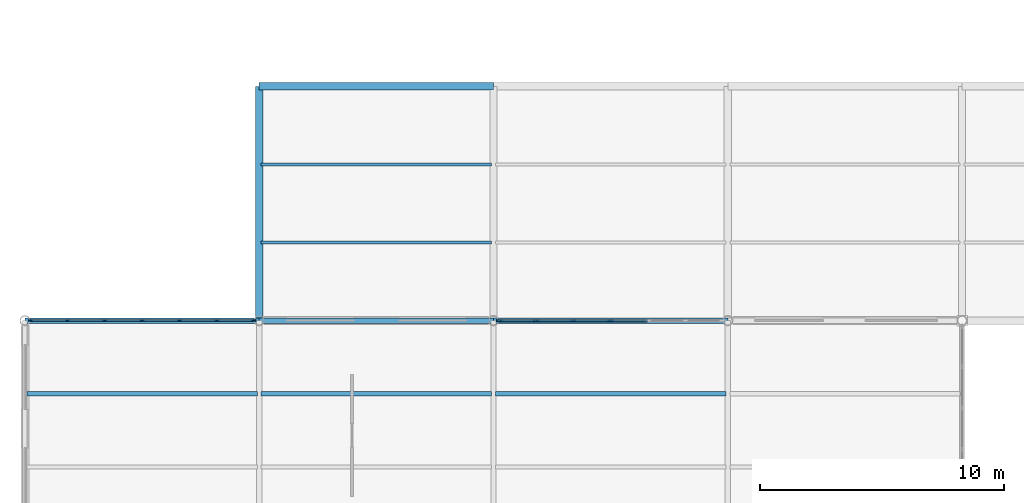
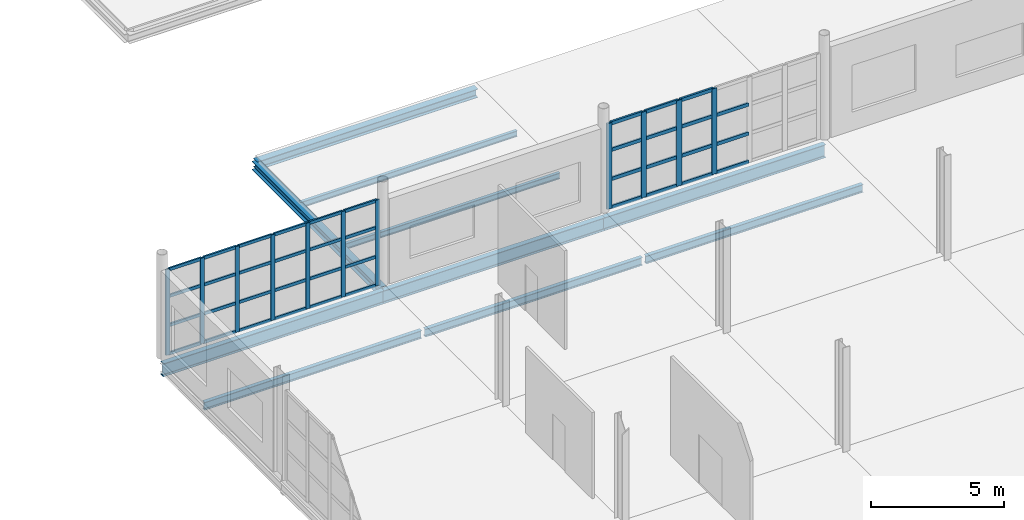
# One storey, part 37 of 120: 50 members, 10 beams, 2 elements without a shape of their own.
"""IFC4 building model written with IfcOpenShell, lengths in metres."""

from ifc_helpers import new_model, si_unit, direction, frame, origin, origin_2d, place, context, subcontext, project, spatial, rectangle, i_section, extrude, material, layer, layer_set, material_profile, profile_set, type_object, element, aggregate, save


model = new_model("IFC4")

# Units and contexts
model_context = context("Model", 3, precision=1e-05, world=origin(), true_north=direction((0.0, 1.0)))
body_context = subcontext(model_context, "Body", "Model", "MODEL_VIEW")
ifc_project = project(units=[si_unit("LENGTHUNIT", "METRE"), si_unit("AREAUNIT", "SQUARE_METRE"), si_unit("VOLUMEUNIT", "CUBIC_METRE"), si_unit("PLANEANGLEUNIT", "RADIAN"), si_unit("MASSUNIT", "GRAM", prefix="KILO")], contexts=[model_context])

# Site, building, storey
site_placement = place(None, origin())
site = spatial("IfcSite", under=ifc_project, at=site_placement, CompositionType="ELEMENT")
building_placement = place(site_placement, origin())
building = spatial("IfcBuilding", under=site, at=building_placement, Name="Zarnetskaya Central Station", CompositionType="ELEMENT")
storey_placement = place(building_placement, frame((0.0, 0.0, 5.39990234375)))
storey = spatial("IfcBuildingStorey", under=building, at=storey_placement, Name="L01", CompositionType="ELEMENT", Elevation=5.39990234375)

# Beams
ifc_material_1 = material(Name="Steel S355", Category="steel")
ifc_material_profile_1 = material_profile(ifc_material_1, i_section(OverallWidth=0.135009765625, OverallDepth=0.27001953125, WebThickness=0.006591796875, FlangeThickness=0.01025390625, FilletRadius=0.014892578125, at=origin_2d()), Name="IPE 270")
ifc_profile_set_1 = profile_set([ifc_material_profile_1], Name="Steel S355")
beam_type_1 = type_object("IfcBeamType", Name="BM-JST-270", PredefinedType="JOIST", material=ifc_profile_set_1)
for number, where, z_axis, x_axis, name in (
    (1, (9.679931640625, 70.39990234375, -0.294921875), (1.0, 0.0, 0.0), (0.0, 1.0, 0.0), "Secondary floor beam SEC-L01-Z524-BC-910-1"),
    (2, (9.679931640625, 73.60009765625, -0.294921875), (1.0, 0.0, 0.0), (0.0, 1.0, 0.0), "Secondary floor beam SEC-L01-Z524-BC-910-2"),
):
    element("IfcBeam", number, at=place(storey_placement, frame(where, z_axis=z_axis, x_axis=x_axis)), inside=storey, type_object=beam_type_1, Name=name, PredefinedType="JOIST", context=body_context, shape_type="SweptSolid", body=[
        extrude(i_section(OverallWidth=0.135009765625, OverallDepth=0.27001953125, WebThickness=0.006591796875, FlangeThickness=0.01025390625, FilletRadius=0.014892578125, at=origin_2d()), origin(), (0.0, 0.0, 1.0), 9.440185546875),
    ])
ifc_material_profile_2 = material_profile(ifc_material_1, i_section(OverallWidth=0.169921875, OverallDepth=0.360107421875, WebThickness=0.008056640625, FlangeThickness=0.0126953125, FilletRadius=0.01806640625, at=origin_2d()), Name="IPE 360")
ifc_profile_set_2 = profile_set([ifc_material_profile_2], Name="Steel S355")
beam_type_2 = type_object("IfcBeamType", Name="BM-SEC-360", PredefinedType="BEAM", material=ifc_profile_set_2)
beam_1_placement = place(storey_placement, frame((0.080078125, 64.199951171875, -0.4599609375), z_axis=(1.0, 0.0, 0.0), x_axis=(0.0, 1.0, 0.0)))
element("IfcBeam", 3, at=beam_1_placement, inside=storey, type_object=beam_type_2, Name="Secondary floor beam SEC-L01-Z512-AB-89-2", PredefinedType="BEAM", context=body_context, shape_type="SweptSolid", body=[
    extrude(i_section(OverallWidth=0.169921875, OverallDepth=0.360107421875, WebThickness=0.008056640625, FlangeThickness=0.0126953125, FilletRadius=0.01806640625, at=origin_2d()), origin(), (0.0, 0.0, 1.0), 9.43994140625),
])
beam_2_placement = place(storey_placement, frame((9.679931640625, 64.199951171875, -0.4599609375), z_axis=(1.0, 0.0, 0.0), x_axis=(0.0, 1.0, 0.0)))
element("IfcBeam", 4, at=beam_2_placement, inside=storey, type_object=beam_type_2, Name="Secondary floor beam SEC-L01-Z512-BC-89-2", PredefinedType="BEAM", context=body_context, shape_type="SweptSolid", body=[
    extrude(i_section(OverallWidth=0.169921875, OverallDepth=0.360107421875, WebThickness=0.008056640625, FlangeThickness=0.0126953125, FilletRadius=0.01806640625, at=origin_2d()), origin(), (0.0, 0.0, 1.0), 9.440185546875),
])
beam_3_placement = place(storey_placement, frame((19.280029296875, 64.199951171875, -0.4599609375), z_axis=(1.0, 0.0, 0.0), x_axis=(0.0, 1.0, 0.0)))
element("IfcBeam", 5, at=beam_3_placement, inside=storey, type_object=beam_type_2, Name="Secondary floor beam SEC-L01-Z512-CD-89-2", PredefinedType="BEAM", context=body_context, shape_type="SweptSolid", body=[
    extrude(i_section(OverallWidth=0.169921875, OverallDepth=0.360107421875, WebThickness=0.008056640625, FlangeThickness=0.0126953125, FilletRadius=0.01806640625, at=origin_2d()), origin(), (0.0, 0.0, 1.0), 9.43994140625),
])

# Curtain wall, members
ifc_material_2 = material(Name="Low-E insulated glass", Category="glass")
ifc_layer_1 = layer(ifc_material_2, 0.16796875, Name="Low-E insulated glass", Category="glass")
ifc_layer_set_1 = layer_set([ifc_layer_1], Name="Low-E insulated glass")
curtain_wall_type_1 = type_object("IfcCurtainWallType", Name="CW-SYS-03", PredefinedType="USERDEFINED", material=ifc_layer_set_1)
curtain_wall_1_placement = place(storey_placement, origin())
curtain_wall_1 = element("IfcCurtainWall", 6, at=curtain_wall_1_placement, inside=storey, type_object=curtain_wall_type_1, Name="Curtain wall CW-L01-005", ObjectType="CURTAIN WALL", PredefinedType="USERDEFINED")
ifc_material_3 = material(Name="Anodised aluminium", Category="aluminium")
ifc_material_profile_3 = material_profile(ifc_material_3, rectangle(XDim=0.070068359375, YDim=0.179931640625, at=origin_2d()), Name="ALU MULL 70x180")
ifc_profile_set_3 = profile_set([ifc_material_profile_3], Name="Anodised aluminium")
member_type_1 = type_object("IfcMemberType", Name="CW-MULL-180", PredefinedType="MULLION", material=ifc_profile_set_3)
member_1_placement = place(storey_placement, frame((0.23828125, 67.199951171875, 0.0), z_axis=(0.0, 0.0, 1.0), x_axis=(0.0, 1.0, 0.0)))
member_1 = element("IfcMember", 7, at=member_1_placement, type_object=member_type_1, Name="CW-12 mullion 1", PredefinedType="MULLION", context=body_context, shape_type="SweptSolid", body=[
    extrude(rectangle(XDim=0.070068359375, YDim=0.179931640625, at=origin_2d()), origin(), (0.0, 0.0, 1.0), 3.940185546875),
])
member_2_placement = place(storey_placement, frame((1.7353515625, 67.199951171875, 0.0), z_axis=(0.0, 0.0, 1.0), x_axis=(0.0, 1.0, 0.0)))
member_2 = element("IfcMember", 8, at=member_2_placement, type_object=member_type_1, Name="CW-12 mullion 2", PredefinedType="MULLION", context=body_context, shape_type="SweptSolid", body=[
    extrude(rectangle(XDim=0.070068359375, YDim=0.179931640625, at=origin_2d()), origin(), (0.0, 0.0, 1.0), 3.940185546875),
])
member_3_placement = place(storey_placement, frame((3.267822265625, 67.199951171875, 0.0), z_axis=(0.0, 0.0, 1.0), x_axis=(0.0, 1.0, 0.0)))
member_3 = element("IfcMember", 9, at=member_3_placement, type_object=member_type_1, Name="CW-12 mullion 3", PredefinedType="MULLION", context=body_context, shape_type="SweptSolid", body=[
    extrude(rectangle(XDim=0.070068359375, YDim=0.179931640625, at=origin_2d()), origin(), (0.0, 0.0, 1.0), 3.940185546875),
])
member_4_placement = place(storey_placement, frame((4.800048828125, 67.199951171875, 0.0), z_axis=(0.0, 0.0, 1.0), x_axis=(0.0, 1.0, 0.0)))
member_4 = element("IfcMember", 10, at=member_4_placement, type_object=member_type_1, Name="CW-12 mullion 4", PredefinedType="MULLION", context=body_context, shape_type="SweptSolid", body=[
    extrude(rectangle(XDim=0.070068359375, YDim=0.179931640625, at=origin_2d()), origin(), (0.0, 0.0, 1.0), 3.940185546875),
])
member_5_placement = place(storey_placement, frame((6.332275390625, 67.199951171875, 0.0), z_axis=(0.0, 0.0, 1.0), x_axis=(0.0, 1.0, 0.0)))
member_5 = element("IfcMember", 11, at=member_5_placement, type_object=member_type_1, Name="CW-12 mullion 5", PredefinedType="MULLION", context=body_context, shape_type="SweptSolid", body=[
    extrude(rectangle(XDim=0.070068359375, YDim=0.179931640625, at=origin_2d()), origin(), (0.0, 0.0, 1.0), 3.940185546875),
])
member_6_placement = place(storey_placement, frame((7.864501953125, 67.199951171875, 0.0), z_axis=(0.0, 0.0, 1.0), x_axis=(0.0, 1.0, 0.0)))
member_6 = element("IfcMember", 12, at=member_6_placement, type_object=member_type_1, Name="CW-12 mullion 6", PredefinedType="MULLION", context=body_context, shape_type="SweptSolid", body=[
    extrude(rectangle(XDim=0.070068359375, YDim=0.179931640625, at=origin_2d()), origin(), (0.0, 0.0, 1.0), 3.940185546875),
])
member_7_placement = place(storey_placement, frame((9.36181640625, 67.199951171875, 0.0), z_axis=(0.0, 0.0, 1.0), x_axis=(0.0, 1.0, 0.0)))
member_7 = element("IfcMember", 13, at=member_7_placement, type_object=member_type_1, Name="CW-12 mullion 7", PredefinedType="MULLION", context=body_context, shape_type="SweptSolid", body=[
    extrude(rectangle(XDim=0.070068359375, YDim=0.179931640625, at=origin_2d()), origin(), (0.0, 0.0, 1.0), 3.940185546875),
])

ifc_layer_2 = layer(ifc_material_2, 0.176025390625, Name="Low-E insulated glass", Category="glass")
ifc_layer_set_2 = layer_set([ifc_layer_2], Name="Low-E insulated glass")
curtain_wall_type_2 = type_object("IfcCurtainWallType", Name="CW-SYS-05", PredefinedType="USERDEFINED", material=ifc_layer_set_2)
curtain_wall_2_placement = place(storey_placement, origin())
curtain_wall_2 = element("IfcCurtainWall", 14, at=curtain_wall_2_placement, inside=storey, type_object=curtain_wall_type_2, Name="Curtain wall CW-L01-006", ObjectType="CURTAIN WALL", PredefinedType="USERDEFINED")
ifc_material_profile_4 = material_profile(ifc_material_3, rectangle(XDim=0.080078125, YDim=0.219970703125, at=origin_2d()), Name="ALU MULL 80x220")
ifc_profile_set_4 = profile_set([ifc_material_profile_4], Name="Anodised aluminium")
member_type_2 = type_object("IfcMemberType", Name="CW-MULL-220", PredefinedType="MULLION", material=ifc_profile_set_4)
member_8_placement = place(storey_placement, frame((19.443115234375, 67.199951171875, 0.0), z_axis=(0.0, 0.0, 1.0), x_axis=(0.0, 1.0, 0.0)))
member_8 = element("IfcMember", 15, at=member_8_placement, type_object=member_type_2, Name="CW-14 mullion 1", PredefinedType="MULLION", context=body_context, shape_type="SweptSolid", body=[
    extrude(rectangle(XDim=0.080078125, YDim=0.219970703125, at=origin_2d()), origin(), (0.0, 0.0, 1.0), 3.940185546875),
])
member_9_placement = place(storey_placement, frame((20.935546875, 67.199951171875, 0.0), z_axis=(0.0, 0.0, 1.0), x_axis=(0.0, 1.0, 0.0)))
member_9 = element("IfcMember", 16, at=member_9_placement, type_object=member_type_2, Name="CW-14 mullion 2", PredefinedType="MULLION", context=body_context, shape_type="SweptSolid", body=[
    extrude(rectangle(XDim=0.080078125, YDim=0.219970703125, at=origin_2d()), origin(), (0.0, 0.0, 1.0), 3.940185546875),
])
member_10_placement = place(storey_placement, frame((22.4677734375, 67.199951171875, 0.0), z_axis=(0.0, 0.0, 1.0), x_axis=(0.0, 1.0, 0.0)))
member_10 = element("IfcMember", 17, at=member_10_placement, type_object=member_type_2, Name="CW-14 mullion 3", PredefinedType="MULLION", context=body_context, shape_type="SweptSolid", body=[
    extrude(rectangle(XDim=0.080078125, YDim=0.219970703125, at=origin_2d()), origin(), (0.0, 0.0, 1.0), 3.940185546875),
])
member_11_placement = place(storey_placement, frame((24.0, 67.199951171875, 0.0), z_axis=(0.0, 0.0, 1.0), x_axis=(0.0, 1.0, 0.0)))
member_11 = element("IfcMember", 18, at=member_11_placement, type_object=member_type_2, Name="CW-14 mullion 4", PredefinedType="MULLION", context=body_context, shape_type="SweptSolid", body=[
    extrude(rectangle(XDim=0.080078125, YDim=0.219970703125, at=origin_2d()), origin(), (0.0, 0.0, 1.0), 3.940185546875),
])

# Member
ifc_material_profile_5 = material_profile(ifc_material_3, rectangle(XDim=0.070068359375, YDim=0.139892578125, at=origin_2d()), Name="ALU TRAN 70x140")
ifc_profile_set_5 = profile_set([ifc_material_profile_5], Name="Anodised aluminium")
member_type_3 = type_object("IfcMemberType", Name="CW-TRAN-140", PredefinedType="USERDEFINED", material=ifc_profile_set_5)
member_12_placement = place(storey_placement, frame((0.273193359375, 67.199951171875, 0.03515625), z_axis=(1.0, 0.0, 0.0), x_axis=(0.0, 1.0, 0.0)))
member_12 = element("IfcMember", 19, at=member_12_placement, type_object=member_type_3, Name="CW-12 transom 1.1", ObjectType="TRANSOM", PredefinedType="USERDEFINED", context=body_context, shape_type="SweptSolid", body=[
    extrude(rectangle(XDim=0.070068359375, YDim=0.139892578125, at=origin_2d()), origin(), (0.0, 0.0, 1.0), 1.42724609375),
])

member_13_placement = place(storey_placement, frame((0.273193359375, 67.199951171875, 1.340087890625), z_axis=(1.0, 0.0, 0.0), x_axis=(0.0, 1.0, 0.0)))
member_13 = element("IfcMember", 20, at=member_13_placement, type_object=member_type_3, Name="CW-12 transom 1.2", ObjectType="TRANSOM", PredefinedType="USERDEFINED", context=body_context, shape_type="SweptSolid", body=[
    extrude(rectangle(XDim=0.070068359375, YDim=0.139892578125, at=origin_2d()), origin(), (0.0, 0.0, 1.0), 1.42724609375),
])

member_14_placement = place(storey_placement, frame((0.273193359375, 67.199951171875, 2.67919921875), z_axis=(1.0, 0.0, 0.0), x_axis=(0.0, 1.0, 0.0)))
member_14 = element("IfcMember", 21, at=member_14_placement, type_object=member_type_3, Name="CW-12 transom 1.3", ObjectType="TRANSOM", PredefinedType="USERDEFINED", context=body_context, shape_type="SweptSolid", body=[
    extrude(rectangle(XDim=0.070068359375, YDim=0.139892578125, at=origin_2d()), origin(), (0.0, 0.0, 1.0), 1.42724609375),
])

member_15_placement = place(storey_placement, frame((0.273193359375, 67.199951171875, 3.905029296875), z_axis=(1.0, 0.0, 0.0), x_axis=(0.0, 1.0, 0.0)))
member_15 = element("IfcMember", 22, at=member_15_placement, type_object=member_type_3, Name="CW-12 transom 1.4", ObjectType="TRANSOM", PredefinedType="USERDEFINED", context=body_context, shape_type="SweptSolid", body=[
    extrude(rectangle(XDim=0.070068359375, YDim=0.139892578125, at=origin_2d()), origin(), (0.0, 0.0, 1.0), 1.42724609375),
])

member_16_placement = place(storey_placement, frame((1.7705078125, 67.199951171875, 0.03515625), z_axis=(1.0, 0.0, 0.0), x_axis=(0.0, 1.0, 0.0)))
member_16 = element("IfcMember", 23, at=member_16_placement, type_object=member_type_3, Name="CW-12 transom 2.1", ObjectType="TRANSOM", PredefinedType="USERDEFINED", context=body_context, shape_type="SweptSolid", body=[
    extrude(rectangle(XDim=0.070068359375, YDim=0.139892578125, at=origin_2d()), origin(), (0.0, 0.0, 1.0), 1.462158203125),
])

member_17_placement = place(storey_placement, frame((1.7705078125, 67.199951171875, 1.340087890625), z_axis=(1.0, 0.0, 0.0), x_axis=(0.0, 1.0, 0.0)))
member_17 = element("IfcMember", 24, at=member_17_placement, type_object=member_type_3, Name="CW-12 transom 2.2", ObjectType="TRANSOM", PredefinedType="USERDEFINED", context=body_context, shape_type="SweptSolid", body=[
    extrude(rectangle(XDim=0.070068359375, YDim=0.139892578125, at=origin_2d()), origin(), (0.0, 0.0, 1.0), 1.462158203125),
])

member_18_placement = place(storey_placement, frame((1.7705078125, 67.199951171875, 2.67919921875), z_axis=(1.0, 0.0, 0.0), x_axis=(0.0, 1.0, 0.0)))
member_18 = element("IfcMember", 25, at=member_18_placement, type_object=member_type_3, Name="CW-12 transom 2.3", ObjectType="TRANSOM", PredefinedType="USERDEFINED", context=body_context, shape_type="SweptSolid", body=[
    extrude(rectangle(XDim=0.070068359375, YDim=0.139892578125, at=origin_2d()), origin(), (0.0, 0.0, 1.0), 1.462158203125),
])

member_19_placement = place(storey_placement, frame((1.7705078125, 67.199951171875, 3.905029296875), z_axis=(1.0, 0.0, 0.0), x_axis=(0.0, 1.0, 0.0)))
member_19 = element("IfcMember", 26, at=member_19_placement, type_object=member_type_3, Name="CW-12 transom 2.4", ObjectType="TRANSOM", PredefinedType="USERDEFINED", context=body_context, shape_type="SweptSolid", body=[
    extrude(rectangle(XDim=0.070068359375, YDim=0.139892578125, at=origin_2d()), origin(), (0.0, 0.0, 1.0), 1.462158203125),
])

member_20_placement = place(storey_placement, frame((3.302734375, 67.199951171875, 0.03515625), z_axis=(1.0, 0.0, 0.0), x_axis=(0.0, 1.0, 0.0)))
member_20 = element("IfcMember", 27, at=member_20_placement, type_object=member_type_3, Name="CW-12 transom 3.1", ObjectType="TRANSOM", PredefinedType="USERDEFINED", context=body_context, shape_type="SweptSolid", body=[
    extrude(rectangle(XDim=0.070068359375, YDim=0.139892578125, at=origin_2d()), origin(), (0.0, 0.0, 1.0), 1.462158203125),
])

member_21_placement = place(storey_placement, frame((3.302734375, 67.199951171875, 1.340087890625), z_axis=(1.0, 0.0, 0.0), x_axis=(0.0, 1.0, 0.0)))
member_21 = element("IfcMember", 28, at=member_21_placement, type_object=member_type_3, Name="CW-12 transom 3.2", ObjectType="TRANSOM", PredefinedType="USERDEFINED", context=body_context, shape_type="SweptSolid", body=[
    extrude(rectangle(XDim=0.070068359375, YDim=0.139892578125, at=origin_2d()), origin(), (0.0, 0.0, 1.0), 1.462158203125),
])

member_22_placement = place(storey_placement, frame((3.302734375, 67.199951171875, 2.67919921875), z_axis=(1.0, 0.0, 0.0), x_axis=(0.0, 1.0, 0.0)))
member_22 = element("IfcMember", 29, at=member_22_placement, type_object=member_type_3, Name="CW-12 transom 3.3", ObjectType="TRANSOM", PredefinedType="USERDEFINED", context=body_context, shape_type="SweptSolid", body=[
    extrude(rectangle(XDim=0.070068359375, YDim=0.139892578125, at=origin_2d()), origin(), (0.0, 0.0, 1.0), 1.462158203125),
])

member_23_placement = place(storey_placement, frame((3.302734375, 67.199951171875, 3.905029296875), z_axis=(1.0, 0.0, 0.0), x_axis=(0.0, 1.0, 0.0)))
member_23 = element("IfcMember", 30, at=member_23_placement, type_object=member_type_3, Name="CW-12 transom 3.4", ObjectType="TRANSOM", PredefinedType="USERDEFINED", context=body_context, shape_type="SweptSolid", body=[
    extrude(rectangle(XDim=0.070068359375, YDim=0.139892578125, at=origin_2d()), origin(), (0.0, 0.0, 1.0), 1.462158203125),
])

member_24_placement = place(storey_placement, frame((4.8349609375, 67.199951171875, 0.03515625), z_axis=(1.0, 0.0, 0.0), x_axis=(0.0, 1.0, 0.0)))
member_24 = element("IfcMember", 31, at=member_24_placement, type_object=member_type_3, Name="CW-12 transom 4.1", ObjectType="TRANSOM", PredefinedType="USERDEFINED", context=body_context, shape_type="SweptSolid", body=[
    extrude(rectangle(XDim=0.070068359375, YDim=0.139892578125, at=origin_2d()), origin(), (0.0, 0.0, 1.0), 1.46240234375),
])

member_25_placement = place(storey_placement, frame((4.8349609375, 67.199951171875, 1.340087890625), z_axis=(1.0, 0.0, 0.0), x_axis=(0.0, 1.0, 0.0)))
member_25 = element("IfcMember", 32, at=member_25_placement, type_object=member_type_3, Name="CW-12 transom 4.2", ObjectType="TRANSOM", PredefinedType="USERDEFINED", context=body_context, shape_type="SweptSolid", body=[
    extrude(rectangle(XDim=0.070068359375, YDim=0.139892578125, at=origin_2d()), origin(), (0.0, 0.0, 1.0), 1.46240234375),
])

member_26_placement = place(storey_placement, frame((4.8349609375, 67.199951171875, 2.67919921875), z_axis=(1.0, 0.0, 0.0), x_axis=(0.0, 1.0, 0.0)))
member_26 = element("IfcMember", 33, at=member_26_placement, type_object=member_type_3, Name="CW-12 transom 4.3", ObjectType="TRANSOM", PredefinedType="USERDEFINED", context=body_context, shape_type="SweptSolid", body=[
    extrude(rectangle(XDim=0.070068359375, YDim=0.139892578125, at=origin_2d()), origin(), (0.0, 0.0, 1.0), 1.46240234375),
])

member_27_placement = place(storey_placement, frame((4.8349609375, 67.199951171875, 3.905029296875), z_axis=(1.0, 0.0, 0.0), x_axis=(0.0, 1.0, 0.0)))
member_27 = element("IfcMember", 34, at=member_27_placement, type_object=member_type_3, Name="CW-12 transom 4.4", ObjectType="TRANSOM", PredefinedType="USERDEFINED", context=body_context, shape_type="SweptSolid", body=[
    extrude(rectangle(XDim=0.070068359375, YDim=0.139892578125, at=origin_2d()), origin(), (0.0, 0.0, 1.0), 1.46240234375),
])

member_28_placement = place(storey_placement, frame((6.3671875, 67.199951171875, 0.03515625), z_axis=(1.0, 0.0, 0.0), x_axis=(0.0, 1.0, 0.0)))
member_28 = element("IfcMember", 35, at=member_28_placement, type_object=member_type_3, Name="CW-12 transom 5.1", ObjectType="TRANSOM", PredefinedType="USERDEFINED", context=body_context, shape_type="SweptSolid", body=[
    extrude(rectangle(XDim=0.070068359375, YDim=0.139892578125, at=origin_2d()), origin(), (0.0, 0.0, 1.0), 1.46240234375),
])

member_29_placement = place(storey_placement, frame((6.3671875, 67.199951171875, 1.340087890625), z_axis=(1.0, 0.0, 0.0), x_axis=(0.0, 1.0, 0.0)))
member_29 = element("IfcMember", 36, at=member_29_placement, type_object=member_type_3, Name="CW-12 transom 5.2", ObjectType="TRANSOM", PredefinedType="USERDEFINED", context=body_context, shape_type="SweptSolid", body=[
    extrude(rectangle(XDim=0.070068359375, YDim=0.139892578125, at=origin_2d()), origin(), (0.0, 0.0, 1.0), 1.46240234375),
])

member_30_placement = place(storey_placement, frame((6.3671875, 67.199951171875, 2.67919921875), z_axis=(1.0, 0.0, 0.0), x_axis=(0.0, 1.0, 0.0)))
member_30 = element("IfcMember", 37, at=member_30_placement, type_object=member_type_3, Name="CW-12 transom 5.3", ObjectType="TRANSOM", PredefinedType="USERDEFINED", context=body_context, shape_type="SweptSolid", body=[
    extrude(rectangle(XDim=0.070068359375, YDim=0.139892578125, at=origin_2d()), origin(), (0.0, 0.0, 1.0), 1.46240234375),
])

member_31_placement = place(storey_placement, frame((6.3671875, 67.199951171875, 3.905029296875), z_axis=(1.0, 0.0, 0.0), x_axis=(0.0, 1.0, 0.0)))
member_31 = element("IfcMember", 38, at=member_31_placement, type_object=member_type_3, Name="CW-12 transom 5.4", ObjectType="TRANSOM", PredefinedType="USERDEFINED", context=body_context, shape_type="SweptSolid", body=[
    extrude(rectangle(XDim=0.070068359375, YDim=0.139892578125, at=origin_2d()), origin(), (0.0, 0.0, 1.0), 1.46240234375),
])

member_32_placement = place(storey_placement, frame((7.8994140625, 67.199951171875, 0.03515625), z_axis=(1.0, 0.0, 0.0), x_axis=(0.0, 1.0, 0.0)))
member_32 = element("IfcMember", 39, at=member_32_placement, type_object=member_type_3, Name="CW-12 transom 6.1", ObjectType="TRANSOM", PredefinedType="USERDEFINED", context=body_context, shape_type="SweptSolid", body=[
    extrude(rectangle(XDim=0.070068359375, YDim=0.139892578125, at=origin_2d()), origin(), (0.0, 0.0, 1.0), 1.427490234375),
])

member_33_placement = place(storey_placement, frame((7.8994140625, 67.199951171875, 1.340087890625), z_axis=(1.0, 0.0, 0.0), x_axis=(0.0, 1.0, 0.0)))
member_33 = element("IfcMember", 40, at=member_33_placement, type_object=member_type_3, Name="CW-12 transom 6.2", ObjectType="TRANSOM", PredefinedType="USERDEFINED", context=body_context, shape_type="SweptSolid", body=[
    extrude(rectangle(XDim=0.070068359375, YDim=0.139892578125, at=origin_2d()), origin(), (0.0, 0.0, 1.0), 1.427490234375),
])

member_34_placement = place(storey_placement, frame((7.8994140625, 67.199951171875, 2.67919921875), z_axis=(1.0, 0.0, 0.0), x_axis=(0.0, 1.0, 0.0)))
member_34 = element("IfcMember", 41, at=member_34_placement, type_object=member_type_3, Name="CW-12 transom 6.3", ObjectType="TRANSOM", PredefinedType="USERDEFINED", context=body_context, shape_type="SweptSolid", body=[
    extrude(rectangle(XDim=0.070068359375, YDim=0.139892578125, at=origin_2d()), origin(), (0.0, 0.0, 1.0), 1.427490234375),
])

member_35_placement = place(storey_placement, frame((7.8994140625, 67.199951171875, 3.905029296875), z_axis=(1.0, 0.0, 0.0), x_axis=(0.0, 1.0, 0.0)))
member_35 = element("IfcMember", 42, at=member_35_placement, type_object=member_type_3, Name="CW-12 transom 6.4", ObjectType="TRANSOM", PredefinedType="USERDEFINED", context=body_context, shape_type="SweptSolid", body=[
    extrude(rectangle(XDim=0.070068359375, YDim=0.139892578125, at=origin_2d()), origin(), (0.0, 0.0, 1.0), 1.427490234375),
])

aggregate(curtain_wall_1, [member_1, member_2, member_3, member_4, member_5, member_6, member_7, member_12, member_13, member_14, member_15, member_16, member_17, member_18, member_19, member_20, member_21, member_22, member_23, member_24, member_25, member_26, member_27, member_28, member_29, member_30, member_31, member_32, member_33, member_34, member_35])

ifc_material_profile_6 = material_profile(ifc_material_3, rectangle(XDim=0.080078125, YDim=0.159912109375, at=origin_2d()), Name="ALU TRAN 80x160")
ifc_profile_set_6 = profile_set([ifc_material_profile_6], Name="Anodised aluminium")
member_type_4 = type_object("IfcMemberType", Name="CW-TRAN-160", PredefinedType="USERDEFINED", material=ifc_profile_set_6)
member_36_placement = place(storey_placement, frame((19.483154296875, 67.199951171875, 0.0400390625), z_axis=(1.0, 0.0, 0.0), x_axis=(0.0, 1.0, 0.0)))
member_36 = element("IfcMember", 43, at=member_36_placement, type_object=member_type_4, Name="CW-14 transom 1.1", ObjectType="TRANSOM", PredefinedType="USERDEFINED", context=body_context, shape_type="SweptSolid", body=[
    extrude(rectangle(XDim=0.080078125, YDim=0.159912109375, at=origin_2d()), origin(), (0.0, 0.0, 1.0), 1.412353515625),
])

member_37_placement = place(storey_placement, frame((19.483154296875, 67.199951171875, 1.340087890625), z_axis=(1.0, 0.0, 0.0), x_axis=(0.0, 1.0, 0.0)))
member_37 = element("IfcMember", 44, at=member_37_placement, type_object=member_type_4, Name="CW-14 transom 1.2", ObjectType="TRANSOM", PredefinedType="USERDEFINED", context=body_context, shape_type="SweptSolid", body=[
    extrude(rectangle(XDim=0.080078125, YDim=0.159912109375, at=origin_2d()), origin(), (0.0, 0.0, 1.0), 1.412353515625),
])

member_38_placement = place(storey_placement, frame((19.483154296875, 67.199951171875, 2.67919921875), z_axis=(1.0, 0.0, 0.0), x_axis=(0.0, 1.0, 0.0)))
member_38 = element("IfcMember", 45, at=member_38_placement, type_object=member_type_4, Name="CW-14 transom 1.3", ObjectType="TRANSOM", PredefinedType="USERDEFINED", context=body_context, shape_type="SweptSolid", body=[
    extrude(rectangle(XDim=0.080078125, YDim=0.159912109375, at=origin_2d()), origin(), (0.0, 0.0, 1.0), 1.412353515625),
])

member_39_placement = place(storey_placement, frame((19.483154296875, 67.199951171875, 3.900146484375), z_axis=(1.0, 0.0, 0.0), x_axis=(0.0, 1.0, 0.0)))
member_39 = element("IfcMember", 46, at=member_39_placement, type_object=member_type_4, Name="CW-14 transom 1.4", ObjectType="TRANSOM", PredefinedType="USERDEFINED", context=body_context, shape_type="SweptSolid", body=[
    extrude(rectangle(XDim=0.080078125, YDim=0.159912109375, at=origin_2d()), origin(), (0.0, 0.0, 1.0), 1.412353515625),
])

member_40_placement = place(storey_placement, frame((20.9755859375, 67.199951171875, 0.0400390625), z_axis=(1.0, 0.0, 0.0), x_axis=(0.0, 1.0, 0.0)))
member_40 = element("IfcMember", 47, at=member_40_placement, type_object=member_type_4, Name="CW-14 transom 2.1", ObjectType="TRANSOM", PredefinedType="USERDEFINED", context=body_context, shape_type="SweptSolid", body=[
    extrude(rectangle(XDim=0.080078125, YDim=0.159912109375, at=origin_2d()), origin(), (0.0, 0.0, 1.0), 1.4521484375),
])

member_41_placement = place(storey_placement, frame((20.9755859375, 67.199951171875, 1.340087890625), z_axis=(1.0, 0.0, 0.0), x_axis=(0.0, 1.0, 0.0)))
member_41 = element("IfcMember", 48, at=member_41_placement, type_object=member_type_4, Name="CW-14 transom 2.2", ObjectType="TRANSOM", PredefinedType="USERDEFINED", context=body_context, shape_type="SweptSolid", body=[
    extrude(rectangle(XDim=0.080078125, YDim=0.159912109375, at=origin_2d()), origin(), (0.0, 0.0, 1.0), 1.4521484375),
])

member_42_placement = place(storey_placement, frame((20.9755859375, 67.199951171875, 2.67919921875), z_axis=(1.0, 0.0, 0.0), x_axis=(0.0, 1.0, 0.0)))
member_42 = element("IfcMember", 49, at=member_42_placement, type_object=member_type_4, Name="CW-14 transom 2.3", ObjectType="TRANSOM", PredefinedType="USERDEFINED", context=body_context, shape_type="SweptSolid", body=[
    extrude(rectangle(XDim=0.080078125, YDim=0.159912109375, at=origin_2d()), origin(), (0.0, 0.0, 1.0), 1.4521484375),
])

member_43_placement = place(storey_placement, frame((20.9755859375, 67.199951171875, 3.900146484375), z_axis=(1.0, 0.0, 0.0), x_axis=(0.0, 1.0, 0.0)))
member_43 = element("IfcMember", 50, at=member_43_placement, type_object=member_type_4, Name="CW-14 transom 2.4", ObjectType="TRANSOM", PredefinedType="USERDEFINED", context=body_context, shape_type="SweptSolid", body=[
    extrude(rectangle(XDim=0.080078125, YDim=0.159912109375, at=origin_2d()), origin(), (0.0, 0.0, 1.0), 1.4521484375),
])

member_44_placement = place(storey_placement, frame((22.5078125, 67.199951171875, 0.0400390625), z_axis=(1.0, 0.0, 0.0), x_axis=(0.0, 1.0, 0.0)))
member_44 = element("IfcMember", 51, at=member_44_placement, type_object=member_type_4, Name="CW-14 transom 3.1", ObjectType="TRANSOM", PredefinedType="USERDEFINED", context=body_context, shape_type="SweptSolid", body=[
    extrude(rectangle(XDim=0.080078125, YDim=0.159912109375, at=origin_2d()), origin(), (0.0, 0.0, 1.0), 1.4521484375),
])

member_45_placement = place(storey_placement, frame((22.5078125, 67.199951171875, 1.340087890625), z_axis=(1.0, 0.0, 0.0), x_axis=(0.0, 1.0, 0.0)))
member_45 = element("IfcMember", 52, at=member_45_placement, type_object=member_type_4, Name="CW-14 transom 3.2", ObjectType="TRANSOM", PredefinedType="USERDEFINED", context=body_context, shape_type="SweptSolid", body=[
    extrude(rectangle(XDim=0.080078125, YDim=0.159912109375, at=origin_2d()), origin(), (0.0, 0.0, 1.0), 1.4521484375),
])

member_46_placement = place(storey_placement, frame((22.5078125, 67.199951171875, 2.67919921875), z_axis=(1.0, 0.0, 0.0), x_axis=(0.0, 1.0, 0.0)))
member_46 = element("IfcMember", 53, at=member_46_placement, type_object=member_type_4, Name="CW-14 transom 3.3", ObjectType="TRANSOM", PredefinedType="USERDEFINED", context=body_context, shape_type="SweptSolid", body=[
    extrude(rectangle(XDim=0.080078125, YDim=0.159912109375, at=origin_2d()), origin(), (0.0, 0.0, 1.0), 1.4521484375),
])

member_47_placement = place(storey_placement, frame((22.5078125, 67.199951171875, 3.900146484375), z_axis=(1.0, 0.0, 0.0), x_axis=(0.0, 1.0, 0.0)))
member_47 = element("IfcMember", 54, at=member_47_placement, type_object=member_type_4, Name="CW-14 transom 3.4", ObjectType="TRANSOM", PredefinedType="USERDEFINED", context=body_context, shape_type="SweptSolid", body=[
    extrude(rectangle(XDim=0.080078125, YDim=0.159912109375, at=origin_2d()), origin(), (0.0, 0.0, 1.0), 1.4521484375),
])

member_48_placement = place(storey_placement, frame((24.0400390625, 67.199951171875, 0.0400390625), z_axis=(1.0, 0.0, 0.0), x_axis=(0.0, 1.0, 0.0)))
member_48 = element("IfcMember", 55, at=member_48_placement, type_object=member_type_4, Name="CW-14 transom 4.1", ObjectType="TRANSOM", PredefinedType="USERDEFINED", context=body_context, shape_type="SweptSolid", body=[
    extrude(rectangle(XDim=0.080078125, YDim=0.159912109375, at=origin_2d()), origin(), (0.0, 0.0, 1.0), 1.4521484375),
])

member_49_placement = place(storey_placement, frame((24.0400390625, 67.199951171875, 1.340087890625), z_axis=(1.0, 0.0, 0.0), x_axis=(0.0, 1.0, 0.0)))
member_49 = element("IfcMember", 56, at=member_49_placement, type_object=member_type_4, Name="CW-14 transom 4.2", ObjectType="TRANSOM", PredefinedType="USERDEFINED", context=body_context, shape_type="SweptSolid", body=[
    extrude(rectangle(XDim=0.080078125, YDim=0.159912109375, at=origin_2d()), origin(), (0.0, 0.0, 1.0), 1.4521484375),
])

member_50_placement = place(storey_placement, frame((24.0400390625, 67.199951171875, 2.67919921875), z_axis=(1.0, 0.0, 0.0), x_axis=(0.0, 1.0, 0.0)))
member_50 = element("IfcMember", 57, at=member_50_placement, type_object=member_type_4, Name="CW-14 transom 4.3", ObjectType="TRANSOM", PredefinedType="USERDEFINED", context=body_context, shape_type="SweptSolid", body=[
    extrude(rectangle(XDim=0.080078125, YDim=0.159912109375, at=origin_2d()), origin(), (0.0, 0.0, 1.0), 1.4521484375),
])

aggregate(curtain_wall_2, [member_8, member_9, member_10, member_11, member_36, member_37, member_38, member_39, member_40, member_41, member_42, member_43, member_44, member_45, member_46, member_47, member_48, member_49, member_50])

# Beams
ifc_material_profile_7 = material_profile(ifc_material_1, i_section(OverallWidth=0.219970703125, OverallDepth=0.60009765625, WebThickness=0.011962890625, FlangeThickness=0.01904296875, FilletRadius=0.02392578125, at=origin_2d()), Name="IPE 600")
ifc_profile_set_7 = profile_set([ifc_material_profile_7], Name="Steel S355")
beam_type_3 = type_object("IfcBeamType", Name="GD-FLR-600", PredefinedType="USERDEFINED", material=ifc_profile_set_7)
beam_4_placement = place(storey_placement, frame((0.0, 67.199951171875, -0.579833984375), z_axis=(1.0, 0.0, 0.0), x_axis=(0.0, 1.0, 0.0)))
element("IfcBeam", 58, at=beam_4_placement, inside=storey, type_object=beam_type_3, Name="Grid girder GX-L01-9-AB", ObjectType="GIRDER", PredefinedType="USERDEFINED", context=body_context, shape_type="SweptSolid", body=[
    extrude(i_section(OverallWidth=0.219970703125, OverallDepth=0.60009765625, WebThickness=0.011962890625, FlangeThickness=0.01904296875, FilletRadius=0.02392578125, at=origin_2d()), origin(), (0.0, 0.0, 1.0), 9.60009765625),
])
beam_5_placement = place(storey_placement, frame((9.60009765625, 67.199951171875, -0.579833984375), z_axis=(1.0, 0.0, 0.0), x_axis=(0.0, 1.0, 0.0)))
element("IfcBeam", 59, at=beam_5_placement, inside=storey, type_object=beam_type_3, Name="Grid girder GX-L01-9-BC", ObjectType="GIRDER", PredefinedType="USERDEFINED", context=body_context, shape_type="SweptSolid", body=[
    extrude(i_section(OverallWidth=0.219970703125, OverallDepth=0.60009765625, WebThickness=0.011962890625, FlangeThickness=0.01904296875, FilletRadius=0.02392578125, at=origin_2d()), origin(), (0.0, 0.0, 1.0), 9.599853515625),
])
beam_6_placement = place(storey_placement, frame((19.199951171875, 67.199951171875, -0.579833984375), z_axis=(1.0, 0.0, 0.0), x_axis=(0.0, 1.0, 0.0)))
element("IfcBeam", 60, at=beam_6_placement, inside=storey, type_object=beam_type_3, Name="Grid girder GX-L01-9-CD", ObjectType="GIRDER", PredefinedType="USERDEFINED", context=body_context, shape_type="SweptSolid", body=[
    extrude(i_section(OverallWidth=0.219970703125, OverallDepth=0.60009765625, WebThickness=0.011962890625, FlangeThickness=0.01904296875, FilletRadius=0.02392578125, at=origin_2d()), origin(), (0.0, 0.0, 1.0), 9.60009765625),
])
ifc_material_profile_8 = material_profile(ifc_material_1, i_section(OverallWidth=0.300048828125, OverallDepth=0.389892578125, WebThickness=0.010986328125, FlangeThickness=0.01904296875, FilletRadius=0.027099609375, at=origin_2d()), Name="HEA 400")
ifc_profile_set_8 = profile_set([ifc_material_profile_8], Name="Steel S355")
beam_type_4 = type_object("IfcBeamType", Name="GD-ROOF-400", PredefinedType="USERDEFINED", material=ifc_profile_set_8)
beam_7_placement = place(storey_placement, frame((9.60009765625, 67.199951171875, -0.35498046875), z_axis=(0.0, 1.0, 0.0), x_axis=(-1.0, 0.0, 0.0)))
element("IfcBeam", 61, at=beam_7_placement, inside=storey, type_object=beam_type_4, Name="Grid girder GY-L01-B-910", ObjectType="GIRDER", PredefinedType="USERDEFINED", context=body_context, shape_type="SweptSolid", body=[
    extrude(i_section(OverallWidth=0.300048828125, OverallDepth=0.389892578125, WebThickness=0.010986328125, FlangeThickness=0.01904296875, FilletRadius=0.027099609375, at=origin_2d()), origin(), (0.0, 0.0, 1.0), 9.60009765625),
])
beam_8_placement = place(storey_placement, frame((9.60009765625, 76.800048828125, -0.35498046875), z_axis=(1.0, 0.0, 0.0), x_axis=(0.0, 1.0, 0.0)))
element("IfcBeam", 62, at=beam_8_placement, inside=storey, type_object=beam_type_4, Name="Grid girder GX-L01-10-BC", ObjectType="GIRDER", PredefinedType="USERDEFINED", context=body_context, shape_type="SweptSolid", body=[
    extrude(i_section(OverallWidth=0.300048828125, OverallDepth=0.389892578125, WebThickness=0.010986328125, FlangeThickness=0.01904296875, FilletRadius=0.027099609375, at=origin_2d()), origin(), (0.0, 0.0, 1.0), 9.599853515625),
])

save(model, "model.ifc")
